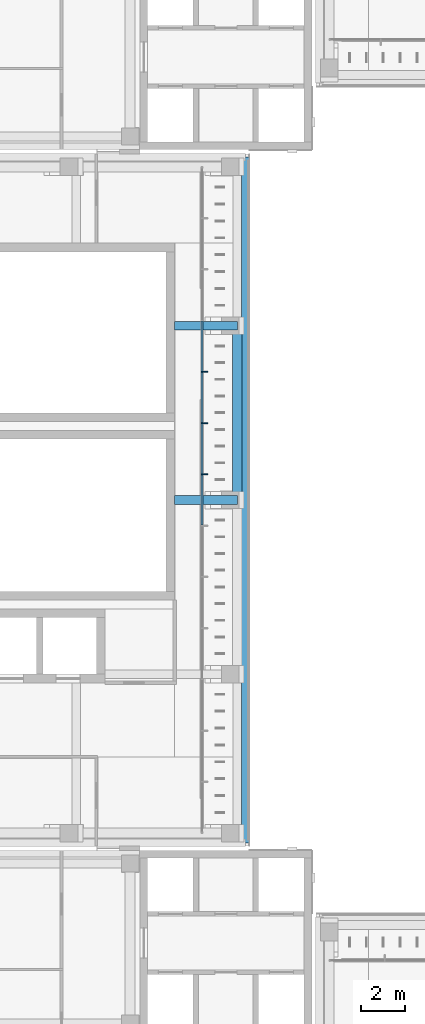
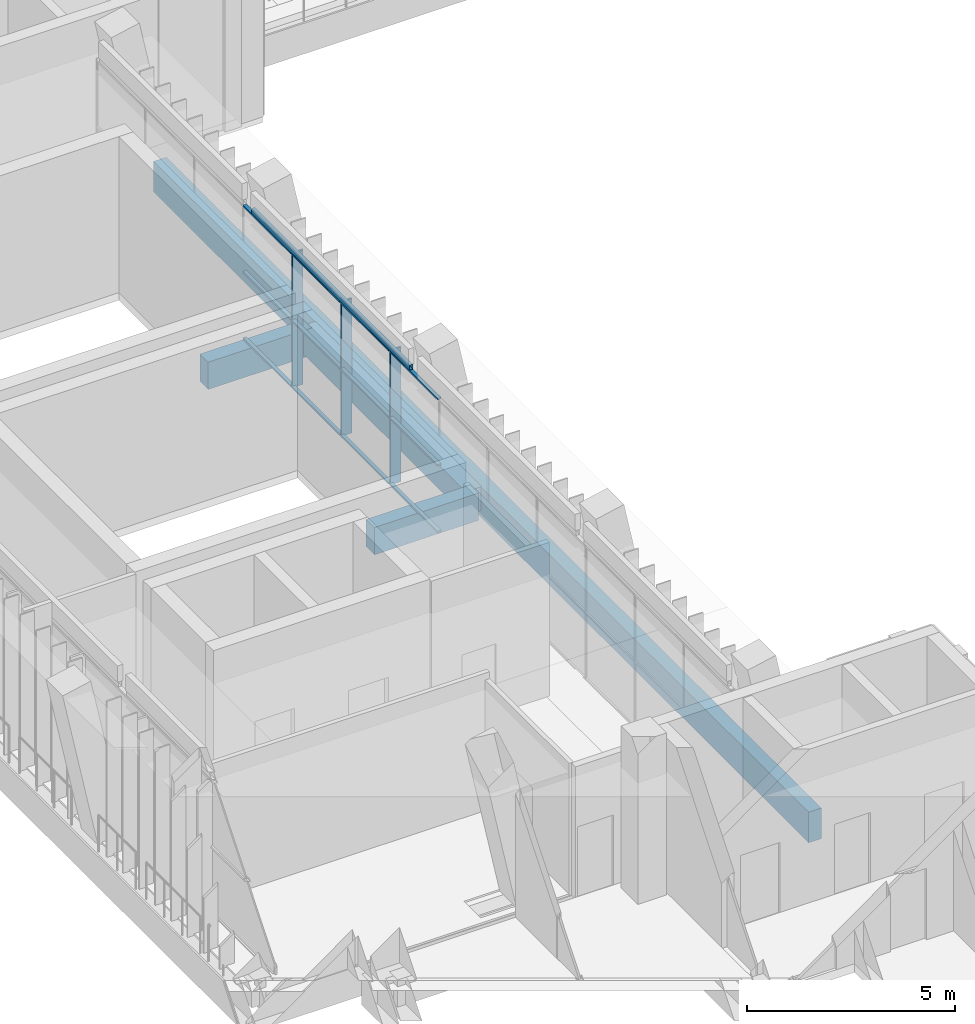
# One storey, part 27 of 89: 15 members, 5 beams, 1 element without a shape of its own.
"""IFC4 building model written with IfcOpenShell, lengths in metres."""

from ifc_helpers import new_model, si_unit, direction, frame, origin, origin_2d, place, context, subcontext, project, spatial, rectangle, hollow_rectangle, extrude, material, material_profile, profile_set, type_object, element, aggregate, save


model = new_model("IFC4")

# Units and contexts
model_context = context("Model", 3, precision=1e-05, world=origin(), true_north=direction((0.0, 1.0)))
body_context = subcontext(model_context, "Body", "Model", "MODEL_VIEW")
ifc_project = project(units=[si_unit("LENGTHUNIT", "METRE"), si_unit("AREAUNIT", "SQUARE_METRE"), si_unit("VOLUMEUNIT", "CUBIC_METRE"), si_unit("PLANEANGLEUNIT", "RADIAN"), si_unit("MASSUNIT", "GRAM", prefix="KILO")], contexts=[model_context])

# Site, building, storey
site_placement = place(None, origin())
site = spatial("IfcSite", under=ifc_project, at=site_placement, CompositionType="ELEMENT")
building_placement = place(site_placement, origin())
building = spatial("IfcBuilding", under=site, at=building_placement, Name="Lantern Court Media Centre", CompositionType="ELEMENT")
storey_placement = place(building_placement, frame((0.0, 0.0, 14.39990234375)))
storey = spatial("IfcBuildingStorey", under=building, at=storey_placement, Name="L03", CompositionType="ELEMENT", Elevation=14.39990234375)

# Curtain wall, members
ifc_material_1 = material(Name="Curtain wall bay 2400")
curtain_wall_type = type_object("IfcCurtainWallType", Name="Curtain wall bay 2400", PredefinedType="NOTDEFINED", material=ifc_material_1)
curtain_wall_placement = place(storey_placement, origin())
curtain_wall = element("IfcCurtainWall", 1, at=curtain_wall_placement, inside=storey, type_object=curtain_wall_type, Name="Curtain wall W inner L03", PredefinedType="NOTDEFINED")
ifc_material_2 = material(Name="Anodised aluminium", Category="aluminium")
ifc_material_profile_1 = material_profile(ifc_material_2, rectangle(XDim=0.300048828125, YDim=0.050048828125, at=origin_2d()), Name="AL 50x300")
ifc_profile_set_1 = profile_set([ifc_material_profile_1], Name="Anodised aluminium")
member_type_1 = type_object("IfcMemberType", Name="Curtain wall mullion 50x300", PredefinedType="MULLION", material=ifc_profile_set_1)
member_1_placement = place(storey_placement, frame((18.969970703125, 81.177001953125, 0.0), z_axis=(0.0, 0.0, 1.0), x_axis=(-1.0, 0.0, 0.0)))
member_1 = element("IfcMember", 2, at=member_1_placement, type_object=member_type_1, Name="CW2 mullion 8", PredefinedType="MULLION", context=body_context, shape_type="SweptSolid", body=[
    extrude(rectangle(XDim=0.300048828125, YDim=0.050048828125, at=origin_2d()), origin(), (0.0, 0.0, 1.0), 3.9501953125),
])
member_2_placement = place(storey_placement, frame((18.969970703125, 83.53076171875, 0.0), z_axis=(0.0, 0.0, 1.0), x_axis=(-1.0, 0.0, 0.0)))
member_2 = element("IfcMember", 3, at=member_2_placement, type_object=member_type_1, Name="CW2 mullion 9", PredefinedType="MULLION", context=body_context, shape_type="SweptSolid", body=[
    extrude(rectangle(XDim=0.300048828125, YDim=0.050048828125, at=origin_2d()), origin(), (0.0, 0.0, 1.0), 3.9501953125),
])
member_3_placement = place(storey_placement, frame((18.969970703125, 85.884521484375, 0.0), z_axis=(0.0, 0.0, 1.0), x_axis=(-1.0, 0.0, 0.0)))
member_3 = element("IfcMember", 4, at=member_3_placement, type_object=member_type_1, Name="CW2 mullion 10", PredefinedType="MULLION", context=body_context, shape_type="SweptSolid", body=[
    extrude(rectangle(XDim=0.300048828125, YDim=0.050048828125, at=origin_2d()), origin(), (0.0, 0.0, 1.0), 3.9501953125),
])
ifc_material_profile_2 = material_profile(ifc_material_2, rectangle(XDim=0.10009765625, YDim=0.050048828125, at=origin_2d()), Name="AL 50x100")
ifc_profile_set_2 = profile_set([ifc_material_profile_2], Name="Anodised aluminium")
member_type_2 = type_object("IfcMemberType", Name="Curtain wall transom 100x50", PredefinedType="USERDEFINED", material=ifc_profile_set_2)
member_4_placement = place(storey_placement, frame((18.85009765625, 78.84814453125, 0.025146484375), z_axis=(0.0, 1.0, 0.0), x_axis=(-1.0, 0.0, 0.0)))
member_4 = element("IfcMember", 5, at=member_4_placement, type_object=member_type_2, Name="CW2 transom 7.1", ObjectType="TRANSOM", PredefinedType="USERDEFINED", context=body_context, shape_type="SweptSolid", body=[
    extrude(rectangle(XDim=0.10009765625, YDim=0.050048828125, at=origin_2d()), origin(), (0.0, 0.0, 1.0), 2.3037109375),
])
member_5_placement = place(storey_placement, frame((18.85009765625, 78.84814453125, 1.97509765625), z_axis=(0.0, 1.0, 0.0), x_axis=(-1.0, 0.0, 0.0)))
member_5 = element("IfcMember", 6, at=member_5_placement, type_object=member_type_2, Name="CW2 transom 7.2", ObjectType="TRANSOM", PredefinedType="USERDEFINED", context=body_context, shape_type="SweptSolid", body=[
    extrude(rectangle(XDim=0.10009765625, YDim=0.050048828125, at=origin_2d()), origin(), (0.0, 0.0, 1.0), 2.3037109375),
])
member_6_placement = place(storey_placement, frame((18.85009765625, 78.84814453125, 3.925048828125), z_axis=(0.0, 1.0, 0.0), x_axis=(-1.0, 0.0, 0.0)))
member_6 = element("IfcMember", 7, at=member_6_placement, type_object=member_type_2, Name="CW2 transom 7.3", ObjectType="TRANSOM", PredefinedType="USERDEFINED", context=body_context, shape_type="SweptSolid", body=[
    extrude(rectangle(XDim=0.10009765625, YDim=0.050048828125, at=origin_2d()), origin(), (0.0, 0.0, 1.0), 2.3037109375),
])
member_7_placement = place(storey_placement, frame((18.85009765625, 81.201904296875, 0.025146484375), z_axis=(0.0, 1.0, 0.0), x_axis=(-1.0, 0.0, 0.0)))
member_7 = element("IfcMember", 8, at=member_7_placement, type_object=member_type_2, Name="CW2 transom 8.1", ObjectType="TRANSOM", PredefinedType="USERDEFINED", context=body_context, shape_type="SweptSolid", body=[
    extrude(rectangle(XDim=0.10009765625, YDim=0.050048828125, at=origin_2d()), origin(), (0.0, 0.0, 1.0), 2.303955078125),
])
member_8_placement = place(storey_placement, frame((18.85009765625, 81.201904296875, 1.97509765625), z_axis=(0.0, 1.0, 0.0), x_axis=(-1.0, 0.0, 0.0)))
member_8 = element("IfcMember", 9, at=member_8_placement, type_object=member_type_2, Name="CW2 transom 8.2", ObjectType="TRANSOM", PredefinedType="USERDEFINED", context=body_context, shape_type="SweptSolid", body=[
    extrude(rectangle(XDim=0.10009765625, YDim=0.050048828125, at=origin_2d()), origin(), (0.0, 0.0, 1.0), 2.303955078125),
])
member_9_placement = place(storey_placement, frame((18.85009765625, 81.201904296875, 3.925048828125), z_axis=(0.0, 1.0, 0.0), x_axis=(-1.0, 0.0, 0.0)))
member_9 = element("IfcMember", 10, at=member_9_placement, type_object=member_type_2, Name="CW2 transom 8.3", ObjectType="TRANSOM", PredefinedType="USERDEFINED", context=body_context, shape_type="SweptSolid", body=[
    extrude(rectangle(XDim=0.10009765625, YDim=0.050048828125, at=origin_2d()), origin(), (0.0, 0.0, 1.0), 2.303955078125),
])
member_10_placement = place(storey_placement, frame((18.85009765625, 83.5556640625, 0.025146484375), z_axis=(0.0, 1.0, 0.0), x_axis=(-1.0, 0.0, 0.0)))
member_10 = element("IfcMember", 11, at=member_10_placement, type_object=member_type_2, Name="CW2 transom 9.1", ObjectType="TRANSOM", PredefinedType="USERDEFINED", context=body_context, shape_type="SweptSolid", body=[
    extrude(rectangle(XDim=0.10009765625, YDim=0.050048828125, at=origin_2d()), origin(), (0.0, 0.0, 1.0), 2.303955078125),
])
member_11_placement = place(storey_placement, frame((18.85009765625, 83.5556640625, 1.97509765625), z_axis=(0.0, 1.0, 0.0), x_axis=(-1.0, 0.0, 0.0)))
member_11 = element("IfcMember", 12, at=member_11_placement, type_object=member_type_2, Name="CW2 transom 9.2", ObjectType="TRANSOM", PredefinedType="USERDEFINED", context=body_context, shape_type="SweptSolid", body=[
    extrude(rectangle(XDim=0.10009765625, YDim=0.050048828125, at=origin_2d()), origin(), (0.0, 0.0, 1.0), 2.303955078125),
])
member_12_placement = place(storey_placement, frame((18.85009765625, 83.5556640625, 3.925048828125), z_axis=(0.0, 1.0, 0.0), x_axis=(-1.0, 0.0, 0.0)))
member_12 = element("IfcMember", 13, at=member_12_placement, type_object=member_type_2, Name="CW2 transom 9.3", ObjectType="TRANSOM", PredefinedType="USERDEFINED", context=body_context, shape_type="SweptSolid", body=[
    extrude(rectangle(XDim=0.10009765625, YDim=0.050048828125, at=origin_2d()), origin(), (0.0, 0.0, 1.0), 2.303955078125),
])
member_13_placement = place(storey_placement, frame((18.85009765625, 85.90966796875, 0.025146484375), z_axis=(0.0, 1.0, 0.0), x_axis=(-1.0, 0.0, 0.0)))
member_13 = element("IfcMember", 14, at=member_13_placement, type_object=member_type_2, Name="CW2 transom 10.1", ObjectType="TRANSOM", PredefinedType="USERDEFINED", context=body_context, shape_type="SweptSolid", body=[
    extrude(rectangle(XDim=0.10009765625, YDim=0.050048828125, at=origin_2d()), origin(), (0.0, 0.0, 1.0), 2.3037109375),
])
member_14_placement = place(storey_placement, frame((18.85009765625, 85.90966796875, 1.97509765625), z_axis=(0.0, 1.0, 0.0), x_axis=(-1.0, 0.0, 0.0)))
member_14 = element("IfcMember", 15, at=member_14_placement, type_object=member_type_2, Name="CW2 transom 10.2", ObjectType="TRANSOM", PredefinedType="USERDEFINED", context=body_context, shape_type="SweptSolid", body=[
    extrude(rectangle(XDim=0.10009765625, YDim=0.050048828125, at=origin_2d()), origin(), (0.0, 0.0, 1.0), 2.3037109375),
])
member_15_placement = place(storey_placement, frame((18.85009765625, 85.90966796875, 3.925048828125), z_axis=(0.0, 1.0, 0.0), x_axis=(-1.0, 0.0, 0.0)))
member_15 = element("IfcMember", 16, at=member_15_placement, type_object=member_type_2, Name="CW2 transom 10.3", ObjectType="TRANSOM", PredefinedType="USERDEFINED", context=body_context, shape_type="SweptSolid", body=[
    extrude(rectangle(XDim=0.10009765625, YDim=0.050048828125, at=origin_2d()), origin(), (0.0, 0.0, 1.0), 2.3037109375),
])
aggregate(curtain_wall, [member_1, member_2, member_3, member_4, member_5, member_6, member_7, member_8, member_9, member_10, member_11, member_12, member_13, member_14, member_15])

# Beams
ifc_material_3 = material(Name="Steel S355J2 (EN 10025-2)", Category="steel")
ifc_material_profile_3 = material_profile(ifc_material_3, hollow_rectangle(XDim=0.10009765625, YDim=0.14990234375, WallThickness=0.00634765625, InnerFilletRadius=0.00634765625, OuterFilletRadius=0.009521484375, at=origin_2d()), Name="Facade head lintel RHS 150x100x6.3")
ifc_profile_set_3 = profile_set([ifc_material_profile_3], Name="Steel S355J2 (EN 10025-2)")
beam_type_1 = type_object("IfcBeamType", Name="Facade head lintel RHS 150x100x6.3", PredefinedType="BEAM", material=ifc_profile_set_3)
beam_1_placement = place(storey_placement, frame((18.85009765625, 80.199951171875, 4.025146484375), z_axis=(0.0, 1.0, 0.0), x_axis=(-1.0, 0.0, 0.0)))
element("IfcBeam", 17, at=beam_1_placement, inside=storey, type_object=beam_type_1, Name="Facade head lintel W L03", PredefinedType="BEAM", context=body_context, shape_type="SweptSolid", body=[
    extrude(hollow_rectangle(XDim=0.10009765625, YDim=0.14990234375, WallThickness=0.00634765625, InnerFilletRadius=0.00634765625, OuterFilletRadius=0.009521484375, at=origin_2d()), origin(), (0.0, 0.0, 1.0), 7.60009765625),
])
ifc_material_4 = material(Name="Concrete C35", Category="concrete")
ifc_material_profile_4 = material_profile(ifc_material_4, rectangle(XDim=0.35009765625, YDim=0.89990234375, at=origin_2d()), Name="RC 350x900")
ifc_profile_set_4 = profile_set([ifc_material_profile_4], Name="Concrete C35")
beam_type_2 = type_object("IfcBeamType", Name="RC BEAM 350x900", PredefinedType="BEAM", material=ifc_profile_set_4)
beam_2_placement = place(storey_placement, frame((20.85009765625, 64.25, -0.449951171875), z_axis=(0.0, 1.0, 0.0), x_axis=(-1.0, 0.0, 0.0)))
element("IfcBeam", 18, at=beam_2_placement, inside=storey, type_object=beam_type_2, Name="EB-W-L03-B", PredefinedType="BEAM", context=body_context, shape_type="SweptSolid", body=[
    extrude(rectangle(XDim=0.35009765625, YDim=0.89990234375, at=origin_2d()), origin(), (0.0, 0.0, 1.0), 31.5),
])
ifc_material_profile_5 = material_profile(ifc_material_4, rectangle(XDim=0.39990234375, YDim=0.800048828125, at=origin_2d()), Name="RC 400x800")
ifc_profile_set_5 = profile_set([ifc_material_profile_5], Name="Concrete C35")
beam_type_3 = type_object("IfcBeamType", Name="RC BEAM 400x800", PredefinedType="BEAM", material=ifc_profile_set_5)
for number, where, z_axis, x_axis, name in (
    (19, (17.60009765625, 80.0, -0.39990234375), (1.0, 0.0, 0.0), (0.0, 1.0, 0.0), "TB-W-L03-2-11"),
    (20, (17.60009765625, 88.0, -0.39990234375), (1.0, 0.0, 0.0), (0.0, 1.0, 0.0), "TB-W-L03-3-11"),
):
    element("IfcBeam", number, at=place(storey_placement, frame(where, z_axis=z_axis, x_axis=x_axis)), inside=storey, type_object=beam_type_3, Name=name, PredefinedType="BEAM", context=body_context, shape_type="SweptSolid", body=[
        extrude(rectangle(XDim=0.39990234375, YDim=0.800048828125, at=origin_2d()), origin(), (0.0, 0.0, 1.0), 2.88330078125),
    ])
ifc_material_profile_6 = material_profile(ifc_material_4, rectangle(XDim=0.449951171875, YDim=0.699951171875, at=origin_2d()), Name="RC 450x700")
ifc_profile_set_6 = profile_set([ifc_material_profile_6], Name="Concrete C35")
beam_type_4 = type_object("IfcBeamType", Name="RC BEAM 450x700", PredefinedType="BEAM", material=ifc_profile_set_6)
beam_3_placement = place(storey_placement, frame((20.472900390625, 80.0, -0.349853515625), z_axis=(0.0, 1.0, 0.0), x_axis=(-1.0, 0.0, 0.0)))
element("IfcBeam", 21, at=beam_3_placement, inside=storey, type_object=beam_type_4, Name="LB-W-L03-2-2", PredefinedType="BEAM", context=body_context, shape_type="SweptSolid", body=[
    extrude(rectangle(XDim=0.449951171875, YDim=0.699951171875, at=origin_2d()), origin(), (0.0, 0.0, 1.0), 8.0),
])

save(model, "model.ifc")
